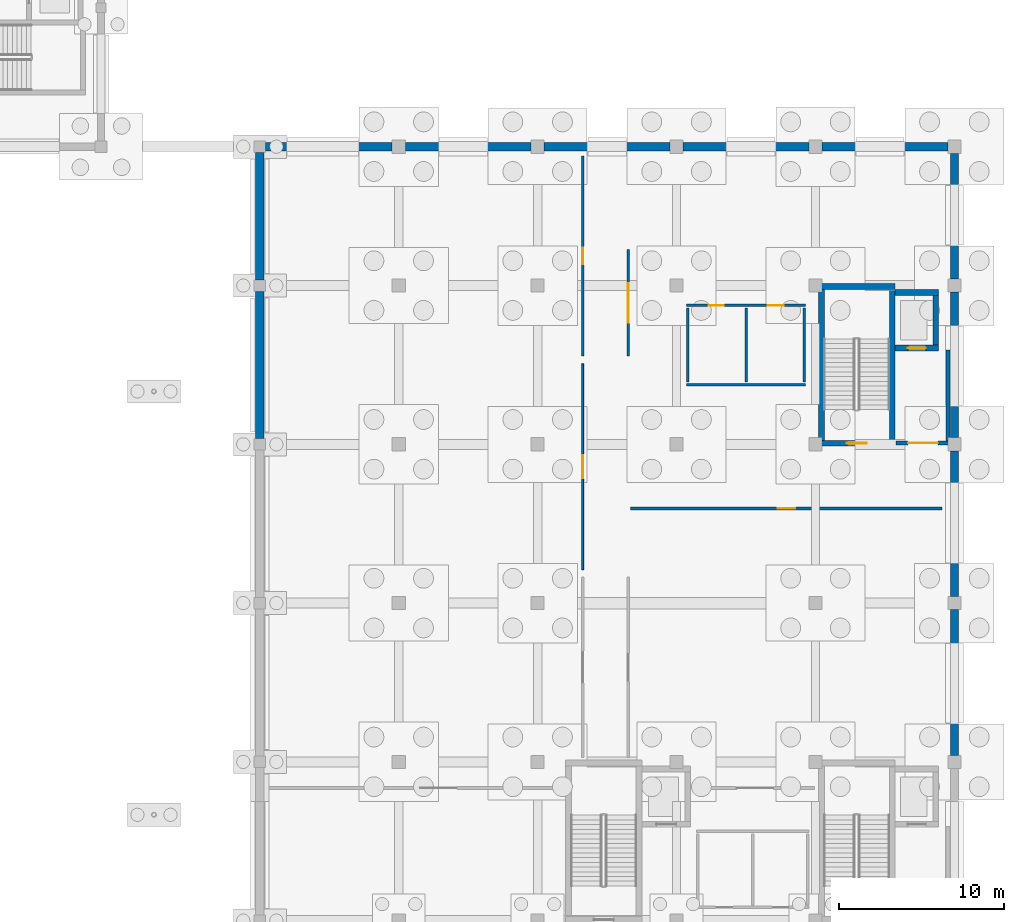
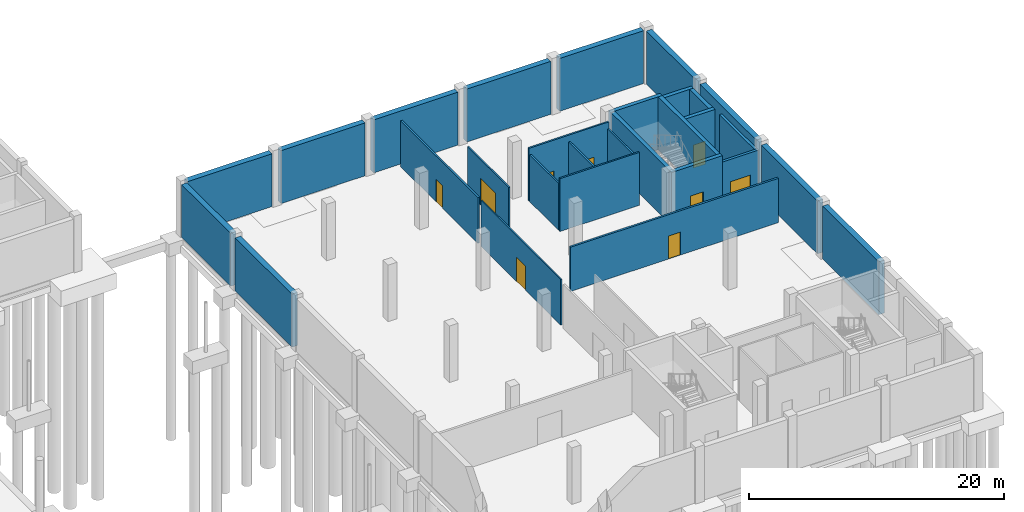
# One storey, part 28 of 41: 29 walls, 9 doors, 9 openings.
"""IFC4 building model written with IfcOpenShell, lengths in metres."""

from ifc_helpers import new_model, si_unit, direction, frame, frame_2d, origin, place, context, subcontext, project, spatial, rectangle, extrude, material, layer, layer_set, type_object, element, fill, save


model = new_model("IFC4")

# Units and contexts
model_context = context("Model", 3, precision=1e-05, world=origin(), true_north=direction((0.0, 1.0)))
body_context = subcontext(model_context, "Body", "Model", "MODEL_VIEW")
ifc_project = project(units=[si_unit("LENGTHUNIT", "METRE"), si_unit("AREAUNIT", "SQUARE_METRE"), si_unit("VOLUMEUNIT", "CUBIC_METRE"), si_unit("PLANEANGLEUNIT", "RADIAN"), si_unit("MASSUNIT", "GRAM", prefix="KILO")], contexts=[model_context])

# Site, building, storey
site_placement = place(None, origin())
site = spatial("IfcSite", under=ifc_project, at=site_placement, CompositionType="ELEMENT")
building_placement = place(site_placement, origin())
building = spatial("IfcBuilding", under=site, at=building_placement, Name="Shalvenor Court Art Gallery", CompositionType="ELEMENT")
storey_placement = place(building_placement, frame((0.0, 0.0, -5.39990234375)))
storey = spatial("IfcBuildingStorey", under=building, at=storey_placement, Name="B01", CompositionType="ELEMENT", Elevation=-5.39990234375)

# Walls
ifc_material_1 = material(Name="Concrete C40/50", Category="concrete")
ifc_layer_1 = layer(ifc_material_1, 0.35009765625, Name="Concrete C40/50")
ifc_layer_set_1 = layer_set([ifc_layer_1], Name="Concrete C40/50")
wall_type_1 = type_object("IfcWallType", Name="CW-W1", PredefinedType="SHEAR", material=ifc_layer_set_1)
wall_1_placement = place(storey_placement, frame((168.18798828125, 88.737060546875, 0.0), z_axis=(0.0, 0.0, 1.0), x_axis=(1.0, 0.0, 0.0)))
element("IfcWall", 1, at=wall_1_placement, inside=storey, type_object=wall_type_1, Name="B01 C1 Stair Core Shear Wall N", PredefinedType="SHEAR", context=body_context, shape_type="SweptSolid", body=[
    extrude(rectangle(XDim=4.6240234375, YDim=0.35009765625, at=frame_2d((2.31201171875, 0.0))), origin(), (0.0, 0.0, 1.0), 5.059814453125),
])
wall_2_placement = place(storey_placement, frame((172.636962890625, 88.56201171875, 0.0), z_axis=(0.0, 0.0, 1.0), x_axis=(0.0, -1.0, 0.0)))
element("IfcWall", 2, at=wall_2_placement, inside=storey, type_object=wall_type_1, Name="B01 C1 Stair Core Shear Wall E", PredefinedType="SHEAR", context=body_context, shape_type="SweptSolid", body=[
    extrude(rectangle(XDim=9.1240234375, YDim=0.35009765625, at=frame_2d((4.56201171875, 0.0))), origin(), (0.0, 0.0, 1.0), 5.059814453125),
])

# Wall, opening, door
wall_3_placement = place(storey_placement, frame((172.81201171875, 79.262939453125, 0.0), z_axis=(0.0, 0.0, 1.0), x_axis=(-1.0, 0.0, 0.0)))
wall_3 = element("IfcWall", 3, at=wall_3_placement, inside=storey, type_object=wall_type_1, Name="B01 C1 Stair Core Shear Wall S", PredefinedType="SHEAR", context=body_context, shape_type="SweptSolid", body=[
    extrude(rectangle(XDim=4.6240234375, YDim=0.35009765625, at=frame_2d((2.31201171875, 0.0))), origin(), (0.0, 0.0, 1.0), 5.059814453125),
])
opening_1_placement = place(wall_3_placement, frame((1.7119140625, 0.0, 0.0)))
opening_1 = element("IfcOpeningElement", 4, at=opening_1_placement, cuts=wall_3, Name="Opening FD-01", PredefinedType="OPENING", context=body_context, shape_type="SweptSolid", body=[
    extrude(rectangle(XDim=1.199951171875, YDim=2.199951171875, at=frame_2d((0.60009765625, 1.10009765625))), frame((0.0, 0.18505859375, 0.0), z_axis=(0.0, -1.0, 0.0), x_axis=(1.0, 0.0, 0.0)), (0.0, 0.0, 1.0), 0.3701171875),
])
ifc_material_2 = material(Name="Fire-rated steel stair doorset", Category="steel")
door_type_1 = type_object("IfcDoorType", Name="FD-01", OperationType="NOTDEFINED", PredefinedType="DOOR", material=ifc_material_2)
door_1_placement = place(opening_1_placement, origin())
door_1 = element("IfcDoor", 5, at=door_1_placement, inside=storey, type_object=door_type_1, Name="DR-ST-B01-C1 B01 ST-01 Fire Stair Door", OperationType="SINGLE_SWING_RIGHT", OverallHeight=2.199951171875, OverallWidth=1.199951171875, PredefinedType="DOOR", context=body_context, shape_type="SweptSolid", body=[
    extrude(rectangle(XDim=1.199951171875, YDim=2.199951171875, at=frame_2d((0.60009765625, 1.10009765625))), frame((0.0, 0.02490234375, 0.0), z_axis=(0.0, -1.0, 0.0), x_axis=(1.0, 0.0, 0.0)), (0.0, 0.0, 1.0), 0.050048828125),
])
fill(opening_1, door_1)

# Walls
wall_4_placement = place(storey_placement, frame((168.363037109375, 79.43798828125, 0.0), z_axis=(0.0, 0.0, 1.0), x_axis=(0.0, 1.0, 0.0)))
element("IfcWall", 6, at=wall_4_placement, inside=storey, type_object=wall_type_1, Name="B01 C1 Stair Core Shear Wall W", PredefinedType="SHEAR", context=body_context, shape_type="SweptSolid", body=[
    extrude(rectangle(XDim=9.1240234375, YDim=0.35009765625, at=frame_2d((4.56201171875, 0.0))), origin(), (0.0, 0.0, 1.0), 5.059814453125),
])
wall_5_placement = place(storey_placement, frame((172.81201171875, 88.375, 0.0), z_axis=(0.0, 0.0, 1.0), x_axis=(1.0, 0.0, 0.0)))
element("IfcWall", 7, at=wall_5_placement, inside=storey, type_object=wall_type_1, Name="B01 FL-01 Lift Shaft Wall N", PredefinedType="SHEAR", context=body_context, shape_type="SweptSolid", body=[
    extrude(rectangle(XDim=2.637939453125, YDim=0.35009765625, at=frame_2d((1.31884765625, 0.0))), origin(), (0.0, 0.0, 1.0), 5.059814453125),
])
wall_6_placement = place(storey_placement, frame((175.27490234375, 88.199951171875, 0.0), z_axis=(0.0, 0.0, 1.0), x_axis=(0.0, -1.0, 0.0)))
element("IfcWall", 8, at=wall_6_placement, inside=storey, type_object=wall_type_1, Name="B01 FL-01 Lift Shaft Wall E", PredefinedType="SHEAR", context=body_context, shape_type="SweptSolid", body=[
    extrude(rectangle(XDim=3.0, YDim=0.35009765625, at=frame_2d((1.5, 0.0))), origin(), (0.0, 0.0, 1.0), 5.059814453125),
])

# Wall, opening, door
wall_7_placement = place(storey_placement, frame((175.449951171875, 85.02490234375, 0.0), z_axis=(0.0, 0.0, 1.0), x_axis=(-1.0, 0.0, 0.0)))
wall_7 = element("IfcWall", 9, at=wall_7_placement, inside=storey, type_object=wall_type_1, Name="B01 FL-01 Lift Shaft Wall S", PredefinedType="SHEAR", context=body_context, shape_type="SweptSolid", body=[
    extrude(rectangle(XDim=2.637939453125, YDim=0.35009765625, at=frame_2d((1.31884765625, 0.0))), origin(), (0.0, 0.0, 1.0), 5.059814453125),
])
opening_2_placement = place(wall_7_placement, frame((0.76904296875, 0.0, 0.0)))
opening_2 = element("IfcOpeningElement", 10, at=opening_2_placement, cuts=wall_7, Name="Opening LD-01", PredefinedType="OPENING", context=body_context, shape_type="SweptSolid", body=[
    extrude(rectangle(XDim=1.10009765625, YDim=2.199951171875, at=frame_2d((0.550048828125, 1.10009765625))), frame((0.0, 0.18505859375, 0.0), z_axis=(0.0, -1.0, 0.0), x_axis=(1.0, 0.0, 0.0)), (0.0, 0.0, 1.0), 0.3701171875),
])
ifc_material_3 = material(Name="Stainless steel firefighting lift sliding landing door", Category="steel")
door_type_2 = type_object("IfcDoorType", Name="LD-01", OperationType="NOTDEFINED", PredefinedType="DOOR", material=ifc_material_3)
door_2_placement = place(opening_2_placement, origin())
door_2 = element("IfcDoor", 11, at=door_2_placement, inside=storey, type_object=door_type_2, Name="DR-LD-B01-FL-01 B01 FL-01 Lift Landing Sliding Door", OperationType="DOUBLE_DOOR_SLIDING", OverallHeight=2.199951171875, OverallWidth=1.10009765625, PredefinedType="DOOR", context=body_context, shape_type="SweptSolid", body=[
    extrude(rectangle(XDim=1.10009765625, YDim=2.199951171875, at=frame_2d((0.550048828125, 1.10009765625))), frame((0.0, 0.02490234375, 0.0), z_axis=(0.0, -1.0, 0.0), x_axis=(1.0, 0.0, 0.0)), (0.0, 0.0, 1.0), 0.050048828125),
])
fill(opening_2, door_2)

# Wall
ifc_material_4 = material(Name="Concrete blockwork fire wall", Category="masonry")
ifc_layer_2 = layer(ifc_material_4, 0.239990234375, Name="Concrete blockwork fire wall")
ifc_layer_set_2 = layer_set([ifc_layer_2], Name="Concrete blockwork fire wall")
wall_type_2 = type_object("IfcWallType", Name="FW-01", PredefinedType="PARTITIONING", material=ifc_layer_set_2)
wall_8_placement = place(storey_placement, frame((176.0, 84.89990234375, 0.0), z_axis=(0.0, 0.0, 1.0), x_axis=(0.0, -1.0, 0.0)))
element("IfcWall", 12, at=wall_8_placement, inside=storey, type_object=wall_type_2, Name="B01 C1 Firefighting Lobby Wall E", PredefinedType="PARTITIONING", context=body_context, shape_type="SweptSolid", body=[
    extrude(rectangle(XDim=5.5, YDim=0.239990234375, at=frame_2d((2.75, 0.0))), origin(), (0.0, 0.0, 1.0), 4.385009765625),
])

# Wall, opening, door
wall_9_placement = place(storey_placement, frame((176.1201171875, 79.280029296875, 0.0), z_axis=(0.0, 0.0, 1.0), x_axis=(-1.0, 0.0, 0.0)))
wall_9 = element("IfcWall", 13, at=wall_9_placement, inside=storey, type_object=wall_type_2, Name="B01 C1 Firefighting Lobby Wall S", PredefinedType="PARTITIONING", context=body_context, shape_type="SweptSolid", body=[
    extrude(rectangle(XDim=3.25, YDim=0.239990234375, at=frame_2d((1.625, 0.0))), origin(), (0.0, 0.0, 1.0), 4.385009765625),
])
opening_3_placement = place(wall_9_placement, frame((0.72509765625, 0.0, 0.0)))
opening_3 = element("IfcOpeningElement", 14, at=opening_3_placement, cuts=wall_9, Name="Opening FD-02", PredefinedType="OPENING", context=body_context, shape_type="SweptSolid", body=[
    extrude(rectangle(XDim=1.800048828125, YDim=2.25, at=frame_2d((0.89990234375, 1.125))), frame((0.0, 0.1298828125, 0.0), z_axis=(0.0, -1.0, 0.0), x_axis=(1.0, 0.0, 0.0)), (0.0, 0.0, 1.0), 0.260009765625),
])
ifc_material_5 = material(Name="Fire-rated double lobby doorset", Category="steel")
door_type_3 = type_object("IfcDoorType", Name="FD-02", OperationType="NOTDEFINED", PredefinedType="DOOR", material=ifc_material_5)
door_3_placement = place(opening_3_placement, origin())
door_3 = element("IfcDoor", 15, at=door_3_placement, inside=storey, type_object=door_type_3, Name="DR-FFL-B01-C1 B01 C1 Firefighting Lobby Double Door", OperationType="DOUBLE_DOOR_SINGLE_SWING", OverallHeight=2.25, OverallWidth=1.800048828125, PredefinedType="DOOR", context=body_context, shape_type="SweptSolid", body=[
    extrude(rectangle(XDim=1.800048828125, YDim=2.25, at=frame_2d((0.89990234375, 1.125))), frame((0.0, 0.02490234375, 0.0), z_axis=(0.0, -1.0, 0.0), x_axis=(1.0, 0.0, 0.0)), (0.0, 0.0, 1.0), 0.050048828125),
])
fill(opening_3, door_3)

ifc_material_6 = material(Name="Plywood-backed acoustic art-hanging partition", Category="wood")
ifc_layer_3 = layer(ifc_material_6, 0.179931640625, Name="Plywood-backed acoustic art-hanging partition")
ifc_layer_set_3 = layer_set([ifc_layer_3], Name="Plywood-backed acoustic art-hanging partition")
wall_type_3 = type_object("IfcWallType", Name="PT-01", PredefinedType="PARTITIONING", material=ifc_layer_set_3)
wall_10_placement = place(storey_placement, frame((156.830078125, 75.320068359375, 0.0), z_axis=(0.0, 0.0, 1.0), x_axis=(1.0, 0.0, 0.0)))
wall_10 = element("IfcWall", 16, at=wall_10_placement, inside=storey, type_object=wall_type_3, Name="B01 Mechanical Plant Room Wing B Partition 577", PredefinedType="PARTITIONING", context=body_context, shape_type="SweptSolid", body=[
    extrude(rectangle(XDim=18.81982421875, YDim=0.179931640625, at=frame_2d((9.409912109375, 0.0))), origin(), (0.0, 0.0, 1.0), 4.23486328125),
])
opening_4_placement = place(wall_10_placement, frame((8.885009765625, 0.0, 0.0)))
opening_4 = element("IfcOpeningElement", 17, at=opening_4_placement, cuts=wall_10, Name="Opening ID-04", PredefinedType="OPENING", context=body_context, shape_type="SweptSolid", body=[
    extrude(rectangle(XDim=1.050048828125, YDim=2.199951171875, at=frame_2d((0.52490234375, 1.10009765625))), frame((0.0, 0.099853515625, 0.0), z_axis=(0.0, -1.0, 0.0), x_axis=(1.0, 0.0, 0.0)), (0.0, 0.0, 1.0), 0.199951171875),
])
ifc_material_7 = material(Name="Oak-veneered accessible room doorset", Category="wood")
door_type_4 = type_object("IfcDoorType", Name="ID-04", OperationType="NOTDEFINED", PredefinedType="DOOR", material=ifc_material_7)
door_4_placement = place(opening_4_placement, origin())
door_4 = element("IfcDoor", 18, at=door_4_placement, inside=storey, type_object=door_type_4, Name="DR-RM-B01-0108 B01 Mechanical Plant Room Wing B Door", OperationType="SINGLE_SWING_RIGHT", OverallHeight=2.199951171875, OverallWidth=1.050048828125, PredefinedType="DOOR", context=body_context, shape_type="SweptSolid", body=[
    extrude(rectangle(XDim=1.050048828125, YDim=2.199951171875, at=frame_2d((0.52490234375, 1.10009765625))), frame((0.0, 0.02490234375, 0.0), z_axis=(0.0, -1.0, 0.0), x_axis=(1.0, 0.0, 0.0)), (0.0, 0.0, 1.0), 0.050048828125),
])
fill(opening_4, door_4)

ifc_material_8 = material(Name="Double-stud acoustic gallery partition", Category="other")
ifc_layer_4 = layer(ifc_material_8, 0.1650390625, Name="Double-stud acoustic gallery partition")
ifc_layer_set_4 = layer_set([ifc_layer_4], Name="Double-stud acoustic gallery partition")
wall_type_4 = type_object("IfcWallType", Name="PT-02", PredefinedType="PARTITIONING", material=ifc_layer_set_4)
wall_11_placement = place(storey_placement, frame((153.919921875, 96.64990234375, 0.0), z_axis=(0.0, 0.0, 1.0), x_axis=(0.0, -1.0, 0.0)))
wall_11 = element("IfcWall", 19, at=wall_11_placement, inside=storey, type_object=wall_type_4, Name="B01 Electrical Switchroom Partition 578", PredefinedType="PARTITIONING", context=body_context, shape_type="SweptSolid", body=[
    extrude(rectangle(XDim=12.119873046875, YDim=0.1650390625, at=frame_2d((6.06005859375, 0.0))), origin(), (0.0, 0.0, 1.0), 4.385009765625),
])
opening_5_placement = place(wall_11_placement, frame((5.56005859375, 0.0, 0.0)))
opening_5 = element("IfcOpeningElement", 20, at=opening_5_placement, cuts=wall_11, Name="Opening ID-05", PredefinedType="OPENING", context=body_context, shape_type="SweptSolid", body=[
    extrude(rectangle(XDim=1.0, YDim=2.14990234375, at=frame_2d((0.5, 1.074951171875))), frame((0.0, 0.092529296875, 0.0), z_axis=(0.0, -1.0, 0.0), x_axis=(1.0, 0.0, 0.0)), (0.0, 0.0, 1.0), 0.18505859375),
])
ifc_material_9 = material(Name="Timber office single doorset", Category="wood")
door_type_5 = type_object("IfcDoorType", Name="ID-05", OperationType="NOTDEFINED", PredefinedType="DOOR", material=ifc_material_9)
door_5_placement = place(opening_5_placement, origin())
door_5 = element("IfcDoor", 21, at=door_5_placement, inside=storey, type_object=door_type_5, Name="DR-RM-B01-0109 B01 Electrical Switchroom Door", OperationType="SINGLE_SWING_LEFT", OverallHeight=2.14990234375, OverallWidth=1.0, PredefinedType="DOOR", context=body_context, shape_type="SweptSolid", body=[
    extrude(rectangle(XDim=1.0, YDim=2.14990234375, at=frame_2d((0.5, 1.074951171875))), frame((0.0, 0.02490234375, 0.0), z_axis=(0.0, -1.0, 0.0), x_axis=(1.0, 0.0, 0.0)), (0.0, 0.0, 1.0), 0.050048828125),
])
fill(opening_5, door_5)

# Wall, openings, doors
ifc_material_10 = material(Name="Moisture-resistant sanitary partition", Category="other")
ifc_layer_5 = layer(ifc_material_10, 0.14990234375, Name="Moisture-resistant sanitary partition")
ifc_layer_set_5 = layer_set([ifc_layer_5], Name="Moisture-resistant sanitary partition")
wall_type_5 = type_object("IfcWallType", Name="PT-03", PredefinedType="PARTITIONING", material=ifc_layer_set_5)
wall_12_placement = place(storey_placement, frame((160.199951171875, 87.60009765625, 0.0), z_axis=(0.0, 0.0, 1.0), x_axis=(1.0, 0.0, 0.0)))
wall_12 = element("IfcWall", 22, at=wall_12_placement, inside=storey, type_object=wall_type_5, Name="B01 C1 Restroom Front Partition", PredefinedType="PARTITIONING", context=body_context, shape_type="SweptSolid", body=[
    extrude(rectangle(XDim=7.199951171875, YDim=0.14990234375, at=frame_2d((3.60009765625, 0.0))), origin(), (0.0, 0.0, 1.0), 5.059814453125),
])
opening_6_placement = place(wall_12_placement, frame((1.35009765625, 0.0, 0.0)))
opening_6 = element("IfcOpeningElement", 23, at=opening_6_placement, cuts=wall_12, Name="Opening ID-07", PredefinedType="OPENING", context=body_context, shape_type="SweptSolid", body=[
    extrude(rectangle(XDim=0.89990234375, YDim=2.10009765625, at=frame_2d((0.449951171875, 1.050048828125))), frame((0.0, 0.0849609375, 0.0), z_axis=(0.0, -1.0, 0.0), x_axis=(1.0, 0.0, 0.0)), (0.0, 0.0, 1.0), 0.169921875),
])
opening_7_placement = place(wall_12_placement, frame((4.925048828125, 0.0, 0.0)))
opening_7 = element("IfcOpeningElement", 24, at=opening_7_placement, cuts=wall_12, Name="Opening ID-06", PredefinedType="OPENING", context=body_context, shape_type="SweptSolid", body=[
    extrude(rectangle(XDim=0.949951171875, YDim=2.14990234375, at=frame_2d((0.47509765625, 1.074951171875))), frame((0.0, 0.0849609375, 0.0), z_axis=(0.0, -1.0, 0.0), x_axis=(1.0, 0.0, 0.0)), (0.0, 0.0, 1.0), 0.169921875),
])
ifc_material_11 = material(Name="Accessible restroom doorset", Category="steel")
door_type_6 = type_object("IfcDoorType", Name="ID-06", OperationType="NOTDEFINED", PredefinedType="DOOR", material=ifc_material_11)
door_6_placement = place(opening_7_placement, origin())
door_6 = element("IfcDoor", 25, at=door_6_placement, inside=storey, type_object=door_type_6, Name="DR-AWC-B01-C1-2 B01 C1 Accessible Restroom Door", OperationType="SINGLE_SWING_RIGHT", OverallHeight=2.14990234375, OverallWidth=0.949951171875, PredefinedType="DOOR", context=body_context, shape_type="SweptSolid", body=[
    extrude(rectangle(XDim=0.949951171875, YDim=2.14990234375, at=frame_2d((0.47509765625, 1.074951171875))), frame((0.0, 0.02490234375, 0.0), z_axis=(0.0, -1.0, 0.0), x_axis=(1.0, 0.0, 0.0)), (0.0, 0.0, 1.0), 0.050048828125),
])
fill(opening_7, door_6)
ifc_material_12 = material(Name="Restroom timber doorset", Category="wood")
door_type_7 = type_object("IfcDoorType", Name="ID-07", OperationType="NOTDEFINED", PredefinedType="DOOR", material=ifc_material_12)
door_7_placement = place(opening_6_placement, origin())
door_7 = element("IfcDoor", 26, at=door_7_placement, inside=storey, type_object=door_type_7, Name="DR-WC-B01-C1-1 B01 C1 Public Restroom Door", OperationType="SINGLE_SWING_LEFT", OverallHeight=2.10009765625, OverallWidth=0.89990234375, PredefinedType="DOOR", context=body_context, shape_type="SweptSolid", body=[
    extrude(rectangle(XDim=0.89990234375, YDim=2.10009765625, at=frame_2d((0.449951171875, 1.050048828125))), frame((0.0, 0.02490234375, 0.0), z_axis=(0.0, -1.0, 0.0), x_axis=(1.0, 0.0, 0.0)), (0.0, 0.0, 1.0), 0.050048828125),
])
fill(opening_6, door_7)

# Walls
wall_13_placement = place(storey_placement, frame((160.199951171875, 82.800048828125, 0.0), z_axis=(0.0, 0.0, 1.0), x_axis=(1.0, 0.0, 0.0)))
element("IfcWall", 27, at=wall_13_placement, inside=storey, type_object=wall_type_5, Name="B01 C1 Restroom Back Partition", PredefinedType="PARTITIONING", context=body_context, shape_type="SweptSolid", body=[
    extrude(rectangle(XDim=7.199951171875, YDim=0.14990234375, at=frame_2d((3.60009765625, 0.0))), origin(), (0.0, 0.0, 1.0), 5.059814453125),
])
for number, where, z_axis, x_axis, name in (
    (28, (160.27490234375, 82.9599609375, 0.0), (0.0, 0.0, 1.0), (0.0, 1.0, 0.0), "B01 C1 Restroom Partition L"),
    (29, (163.800048828125, 82.9599609375, 0.0), (0.0, 0.0, 1.0), (0.0, 1.0, 0.0), "B01 C1 Restroom Partition M"),
    (30, (167.324951171875, 82.9599609375, 0.0), (0.0, 0.0, 1.0), (0.0, 1.0, 0.0), "B01 C1 Restroom Partition R"),
):
    element("IfcWall", number, at=place(storey_placement, frame(where, z_axis=z_axis, x_axis=x_axis)), inside=storey, type_object=wall_type_5, Name=name, PredefinedType="PARTITIONING", context=body_context, shape_type="SweptSolid", body=[
        extrude(rectangle(XDim=4.47998046875, YDim=0.14990234375, at=frame_2d((2.239990234375, 0.0))), origin(), (0.0, 0.0, 1.0), 4.48486328125),
    ])

# Wall, opening, door
ifc_material_13 = material(Name="Insulated studio acoustic partition", Category="other")
ifc_layer_6 = layer(ifc_material_13, 0.135009765625, Name="Insulated studio acoustic partition")
ifc_layer_set_6 = layer_set([ifc_layer_6], Name="Insulated studio acoustic partition")
wall_type_6 = type_object("IfcWallType", Name="PT-04", PredefinedType="PARTITIONING", material=ifc_layer_set_6)
wall_14_placement = place(storey_placement, frame((156.679931640625, 84.530029296875, 0.0), z_axis=(0.0, 0.0, 1.0), x_axis=(0.0, 1.0, 0.0)))
wall_14 = element("IfcWall", 31, at=wall_14_placement, inside=storey, type_object=wall_type_6, Name="B01 Electrical Switchroom Wing B Partition 579", PredefinedType="PARTITIONING", context=body_context, shape_type="SweptSolid", body=[
    extrude(rectangle(XDim=6.43994140625, YDim=0.135009765625, at=frame_2d((3.219970703125, 0.0))), origin(), (0.0, 0.0, 1.0), 4.385009765625),
])
opening_8_placement = place(wall_14_placement, frame((2.02001953125, 0.0, 0.0)))
opening_8 = element("IfcOpeningElement", 32, at=opening_8_placement, cuts=wall_14, Name="Opening ID-08", PredefinedType="OPENING", context=body_context, shape_type="SweptSolid", body=[
    extrude(rectangle(XDim=2.39990234375, YDim=2.60009765625, at=frame_2d((1.199951171875, 1.300048828125))), frame((0.0, 0.077392578125, 0.0), z_axis=(0.0, -1.0, 0.0), x_axis=(1.0, 0.0, 0.0)), (0.0, 0.0, 1.0), 0.155029296875),
])
ifc_material_14 = material(Name="Oversized crate gallery portal double doorset", Category="steel")
door_type_8 = type_object("IfcDoorType", Name="ID-08", OperationType="NOTDEFINED", PredefinedType="DOOR", material=ifc_material_14)
door_8_placement = place(opening_8_placement, origin())
door_8 = element("IfcDoor", 33, at=door_8_placement, inside=storey, type_object=door_type_8, Name="DR-RM-B01-0110 B01 Electrical Switchroom Wing B Door", OperationType="DOUBLE_DOOR_SINGLE_SWING", OverallHeight=2.60009765625, OverallWidth=2.39990234375, PredefinedType="DOOR", context=body_context, shape_type="SweptSolid", body=[
    extrude(rectangle(XDim=2.39990234375, YDim=2.60009765625, at=frame_2d((1.199951171875, 1.300048828125))), frame((0.0, 0.02490234375, 0.0), z_axis=(0.0, -1.0, 0.0), x_axis=(1.0, 0.0, 0.0)), (0.0, 0.0, 1.0), 0.050048828125),
])
fill(opening_8, door_8)

ifc_material_15 = material(Name="Lightweight office gypsum partition", Category="other")
ifc_layer_7 = layer(ifc_material_15, 0.1201171875, Name="Lightweight office gypsum partition")
ifc_layer_set_7 = layer_set([ifc_layer_7], Name="Lightweight office gypsum partition")
wall_type_7 = type_object("IfcWallType", Name="PT-05", PredefinedType="PARTITIONING", material=ifc_layer_set_7)
wall_15_placement = place(storey_placement, frame((153.919921875, 84.070068359375, 0.0), z_axis=(0.0, 0.0, 1.0), x_axis=(0.0, -1.0, 0.0)))
wall_15 = element("IfcWall", 34, at=wall_15_placement, inside=storey, type_object=wall_type_7, Name="B01 Mechanical Plant Room Partition 576", PredefinedType="PARTITIONING", context=body_context, shape_type="SweptSolid", body=[
    extrude(rectangle(XDim=12.440185546875, YDim=0.1201171875, at=frame_2d((6.22021484375, 0.0))), origin(), (0.0, 0.0, 1.0), 4.385009765625),
])
opening_9_placement = place(wall_15_placement, frame((5.52001953125, 0.0, 0.0)))
opening_9 = element("IfcOpeningElement", 35, at=opening_9_placement, cuts=wall_15, Name="Opening ID-03", PredefinedType="OPENING", context=body_context, shape_type="SweptSolid", body=[
    extrude(rectangle(XDim=1.39990234375, YDim=2.300048828125, at=frame_2d((0.699951171875, 1.14990234375))), frame((0.0, 0.070068359375, 0.0), z_axis=(0.0, -1.0, 0.0), x_axis=(1.0, 0.0, 0.0)), (0.0, 0.0, 1.0), 0.14013671875),
])
ifc_material_16 = material(Name="Timber studio double leaf doorset", Category="wood")
door_type_9 = type_object("IfcDoorType", Name="ID-03", OperationType="NOTDEFINED", PredefinedType="DOOR", material=ifc_material_16)
door_9_placement = place(opening_9_placement, origin())
door_9 = element("IfcDoor", 36, at=door_9_placement, inside=storey, type_object=door_type_9, Name="DR-RM-B01-0107 B01 Mechanical Plant Room Door", OperationType="DOUBLE_DOOR_SINGLE_SWING", OverallHeight=2.300048828125, OverallWidth=1.39990234375, PredefinedType="DOOR", context=body_context, shape_type="SweptSolid", body=[
    extrude(rectangle(XDim=1.39990234375, YDim=2.300048828125, at=frame_2d((0.699951171875, 1.14990234375))), frame((0.0, 0.02490234375, 0.0), z_axis=(0.0, -1.0, 0.0), x_axis=(1.0, 0.0, 0.0)), (0.0, 0.0, 1.0), 0.050048828125),
])
fill(opening_9, door_9)

# Walls
ifc_material_17 = material(Name="Concrete C40/50", Category="concrete")
ifc_layer_8 = layer(ifc_material_17, 0.5, Name="Concrete C40/50")
ifc_layer_set_8 = layer_set([ifc_layer_8], Name="Concrete C40/50")
wall_type_8 = type_object("IfcWallType", Name="RW-01", PredefinedType="USERDEFINED", material=ifc_layer_set_8)
wall_16_placement = place(storey_placement, frame((134.75, 97.199951171875, 0.0), z_axis=(0.0, 0.0, 1.0), x_axis=(1.0, 0.0, 0.0)))
element("IfcWall", 37, at=wall_16_placement, inside=storey, type_object=wall_type_8, Name="B01 Retaining Wall WL-B01-0001", ObjectType="RETAINING WALL", PredefinedType="USERDEFINED", context=body_context, shape_type="SweptSolid", body=[
    extrude(rectangle(XDim=7.64990234375, YDim=0.5, at=frame_2d((3.824951171875, 0.0))), origin(), (0.0, 0.0, 1.0), 5.059814453125),
])
wall_17_placement = place(storey_placement, frame((143.199951171875, 97.199951171875, 0.0), z_axis=(0.0, 0.0, 1.0), x_axis=(1.0, 0.0, 0.0)))
element("IfcWall", 38, at=wall_17_placement, inside=storey, type_object=wall_type_8, Name="B01 Retaining Wall WL-B01-0002", ObjectType="RETAINING WALL", PredefinedType="USERDEFINED", context=body_context, shape_type="SweptSolid", body=[
    extrude(rectangle(XDim=7.60009765625, YDim=0.5, at=frame_2d((3.800048828125, 0.0))), origin(), (0.0, 0.0, 1.0), 5.059814453125),
])
wall_18_placement = place(storey_placement, frame((151.60009765625, 97.199951171875, 0.0), z_axis=(0.0, 0.0, 1.0), x_axis=(1.0, 0.0, 0.0)))
element("IfcWall", 39, at=wall_18_placement, inside=storey, type_object=wall_type_8, Name="B01 Retaining Wall WL-B01-0003", ObjectType="RETAINING WALL", PredefinedType="USERDEFINED", context=body_context, shape_type="SweptSolid", body=[
    extrude(rectangle(XDim=7.599853515625, YDim=0.5, at=frame_2d((3.7998046875, 0.0))), origin(), (0.0, 0.0, 1.0), 5.059814453125),
])
for number, where, z_axis, x_axis, name in (
    (40, (160.0, 97.199951171875, 0.0), (0.0, 0.0, 1.0), (1.0, 0.0, 0.0), "B01 Retaining Wall WL-B01-0004"),
    (41, (168.39990234375, 97.199951171875, 0.0), (0.0, 0.0, 1.0), (1.0, 0.0, 0.0), "B01 Retaining Wall WL-B01-0005"),
    (42, (176.39990234375, 96.800048828125, 0.0), (0.0, 0.0, 1.0), (0.0, -1.0, 0.0), "B01 Retaining Wall WL-B01-0006"),
):
    element("IfcWall", number, at=place(storey_placement, frame(where, z_axis=z_axis, x_axis=x_axis)), inside=storey, type_object=wall_type_8, Name=name, ObjectType="RETAINING WALL", PredefinedType="USERDEFINED", context=body_context, shape_type="SweptSolid", body=[
        extrude(rectangle(XDim=7.60009765625, YDim=0.5, at=frame_2d((3.800048828125, 0.0))), origin(), (0.0, 0.0, 1.0), 5.059814453125),
    ])
wall_19_placement = place(storey_placement, frame((176.39990234375, 88.39990234375, 0.0), z_axis=(0.0, 0.0, 1.0), x_axis=(0.0, -1.0, 0.0)))
element("IfcWall", 43, at=wall_19_placement, inside=storey, type_object=wall_type_8, Name="B01 Retaining Wall WL-B01-0007", ObjectType="RETAINING WALL", PredefinedType="USERDEFINED", context=body_context, shape_type="SweptSolid", body=[
    extrude(rectangle(XDim=8.7998046875, YDim=0.5, at=frame_2d((4.39990234375, 0.0))), origin(), (0.0, 0.0, 1.0), 5.059814453125),
])
for number, where, z_axis, x_axis, name in (
    (44, (176.39990234375, 78.800048828125, 0.0), (0.0, 0.0, 1.0), (0.0, -1.0, 0.0), "B01 Retaining Wall WL-B01-0008"),
    (45, (176.39990234375, 69.199951171875, 0.0), (0.0, 0.0, 1.0), (0.0, -1.0, 0.0), "B01 Retaining Wall WL-B01-0009"),
):
    element("IfcWall", number, at=place(storey_placement, frame(where, z_axis=z_axis, x_axis=x_axis)), inside=storey, type_object=wall_type_8, Name=name, ObjectType="RETAINING WALL", PredefinedType="USERDEFINED", context=body_context, shape_type="SweptSolid", body=[
        extrude(rectangle(XDim=8.800048828125, YDim=0.5, at=frame_2d((4.39990234375, 0.0))), origin(), (0.0, 0.0, 1.0), 5.059814453125),
    ])
wall_20_placement = place(storey_placement, frame((134.39990234375, 79.550048828125, 0.0), z_axis=(0.0, 0.0, 1.0), x_axis=(0.0, 1.0, 0.0)))
element("IfcWall", 46, at=wall_20_placement, inside=storey, type_object=wall_type_8, Name="B01 Retaining Wall WL-B01-0023", ObjectType="RETAINING WALL", PredefinedType="USERDEFINED", context=body_context, shape_type="SweptSolid", body=[
    extrude(rectangle(XDim=8.89990234375, YDim=0.5, at=frame_2d((4.449951171875, 0.0))), origin(), (0.0, 0.0, 1.0), 5.059814453125),
])
wall_21_placement = place(storey_placement, frame((134.39990234375, 89.14990234375, 0.0), z_axis=(0.0, 0.0, 1.0), x_axis=(0.0, 1.0, 0.0)))
element("IfcWall", 47, at=wall_21_placement, inside=storey, type_object=wall_type_8, Name="B01 Retaining Wall WL-B01-0024", ObjectType="RETAINING WALL", PredefinedType="USERDEFINED", context=body_context, shape_type="SweptSolid", body=[
    extrude(rectangle(XDim=7.7001953125, YDim=0.5, at=frame_2d((3.85009765625, 0.0))), origin(), (0.0, 0.0, 1.0), 5.059814453125),
])

save(model, "model.ifc")
